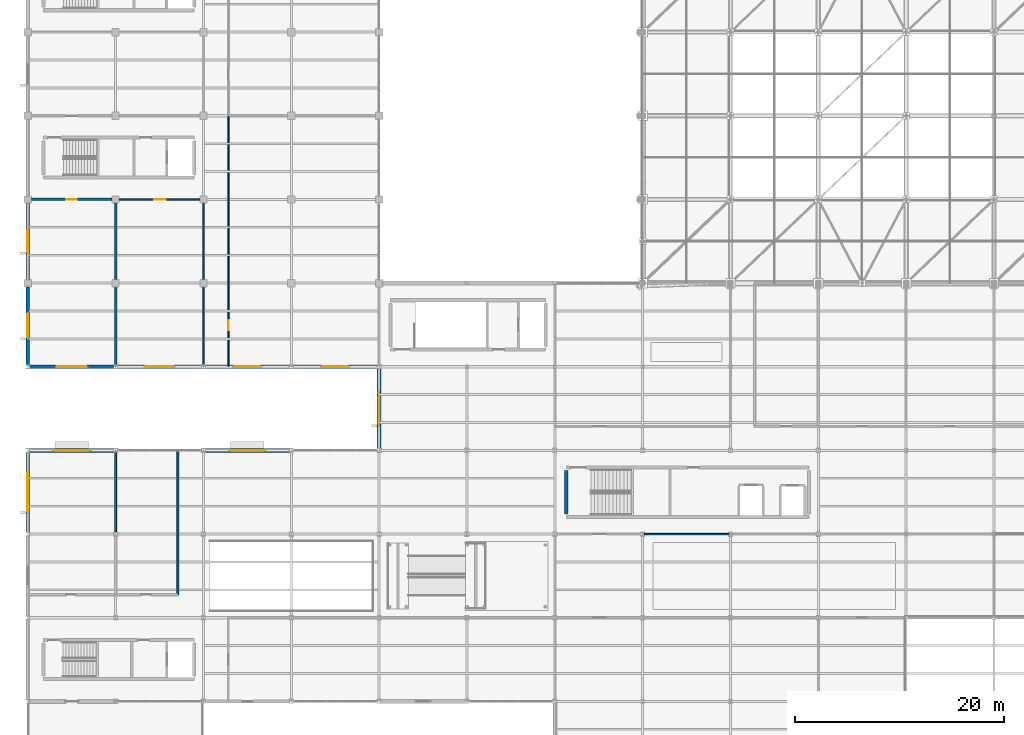
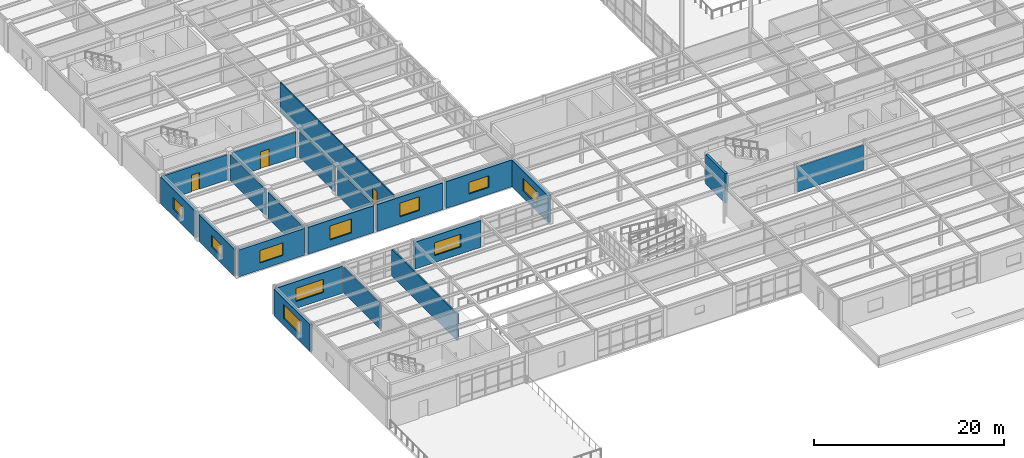
# One storey, part 69 of 138: 21 walls, 10 windows, 3 doors, 13 openings.
"""IFC4 building model written with IfcOpenShell, lengths in metres."""

from ifc_helpers import new_model, si_unit, direction, frame, frame_2d, origin, place, context, subcontext, project, spatial, rectangle, extrude, material, layer, layer_set, type_object, element, fill, save


model = new_model("IFC4")

# Units and contexts
model_context = context("Model", 3, precision=1e-05, world=origin(), true_north=direction((0.0, 1.0)))
body_context = subcontext(model_context, "Body", "Model", "MODEL_VIEW")
ifc_project = project(units=[si_unit("LENGTHUNIT", "METRE"), si_unit("AREAUNIT", "SQUARE_METRE"), si_unit("VOLUMEUNIT", "CUBIC_METRE"), si_unit("PLANEANGLEUNIT", "RADIAN"), si_unit("MASSUNIT", "GRAM", prefix="KILO")], contexts=[model_context])

# Site, building, storey
site_placement = place(None, origin())
site = spatial("IfcSite", under=ifc_project, at=site_placement, CompositionType="ELEMENT")
building_placement = place(site_placement, origin())
building = spatial("IfcBuilding", under=site, at=building_placement, Name="Kranzveld Transit Interchange", CompositionType="ELEMENT")
storey_placement = place(building_placement, frame((0.0, 0.0, 5.43994140625)))
storey = spatial("IfcBuildingStorey", under=building, at=storey_placement, Name="L01", CompositionType="ELEMENT", Elevation=5.43994140625)

# Walls
ifc_material_1 = material(Name="Clay masonry unit wall, 20 MPa", Category="masonry")
ifc_layer_1 = layer(ifc_material_1, 0.139892578125)
ifc_layer_set_1 = layer_set([ifc_layer_1], Name="Clay masonry unit wall, 20 MPa")
wall_type_1 = type_object("IfcWallType", Name="Acoustic Stud Partition 140", PredefinedType="PARTITIONING", material=ifc_layer_set_1)
wall_1_placement = place(storey_placement, frame((58.977294921875, 32.0, 0.0), z_axis=(0.0, 0.0, 1.0), x_axis=(1.0, 0.0, 0.0)))
element("IfcWall", 1, at=wall_1_placement, inside=storey, type_object=wall_type_1, Name="L01 Partition IW-L01-L01V2N-FRT-131-1", PredefinedType="PARTITIONING", context=body_context, shape_type="SweptSolid", body=[
    extrude(rectangle(XDim=8.04541015625, YDim=0.139892578125, at=frame_2d((4.022705078125, 0.0))), origin(), (0.0, 0.0, 1.0), 3.260498046875),
])
ifc_material_2 = material(Name="Concrete C40/50", Category="concrete")
ifc_layer_2 = layer(ifc_material_2, 0.300048828125)
ifc_layer_set_2 = layer_set([ifc_layer_2], Name="Concrete C40/50")
wall_type_2 = type_object("IfcWallType", Name="Core Shear Wall RC 300 C40/50", PredefinedType="SHEAR", material=ifc_layer_set_2)
wall_2_placement = place(storey_placement, frame((51.5, 33.93994140625, 0.0), z_axis=(0.0, 0.0, 1.0), x_axis=(0.0, 1.0, 0.0)))
element("IfcWall", 2, at=wall_2_placement, inside=storey, type_object=wall_type_2, Name="L01 Metro East & Bus Mezzanine Core C6 Shear Wall W", PredefinedType="SHEAR", context=body_context, shape_type="SweptSolid", body=[
    extrude(rectangle(XDim=4.1201171875, YDim=0.300048828125, at=frame_2d((2.06005859375, 0.0))), origin(), (0.0, 0.0, 1.0), 3.800048828125),
])

# Wall, opening, window
ifc_material_3 = material(Name="Pretoria red-purple clinker clay face brick, 35 MPa", Category="masonry")
ifc_layer_3 = layer(ifc_material_3, 0.3798828125)
ifc_layer_set_3 = layer_set([ifc_layer_3], Name="Pretoria red-purple clinker clay face brick, 35 MPa")
wall_type_3 = type_object("IfcWallType", Name="Exterior Cavity Wall Red Clinker 380", PredefinedType="SOLIDWALL", material=ifc_layer_set_3)
wall_3_placement = place(storey_placement, frame((0.187255859375, 40.0, 0.0), z_axis=(0.0, 0.0, 1.0), x_axis=(1.0, 0.0, 0.0)))
wall_3 = element("IfcWall", 3, at=wall_3_placement, inside=storey, type_object=wall_type_3, Name="L01 Clinker Facade Wall 01/F-02/F", PredefinedType="SOLIDWALL", context=body_context, shape_type="SweptSolid", body=[
    extrude(rectangle(XDim=8.025390625, YDim=0.3798828125, at=frame_2d((4.0126953125, 0.0))), origin(), (0.0, 0.0, 1.0), 3.449951171875),
])
opening_1_placement = place(wall_3_placement, frame((2.312744140625, 0.0, 0.89990234375), z_axis=(0.0, 0.0, 1.0), x_axis=(1.0, 0.0, 0.0)))
opening_1 = element("IfcOpeningElement", 4, at=opening_1_placement, cuts=wall_3, Name="Opening W-02", PredefinedType="OPENING", context=body_context, shape_type="SweptSolid", body=[
    extrude(rectangle(XDim=3.39990234375, YDim=1.699951171875, at=frame_2d((1.699951171875, 0.85009765625))), frame((0.0, 0.199951171875, 0.0), z_axis=(0.0, -1.0, 0.0), x_axis=(1.0, 0.0, 0.0)), (0.0, 0.0, 1.0), 0.39990234375),
])
ifc_material_4 = material(Name="Solar-control double glazing", Category="glass")
window_type_1 = type_object("IfcWindowType", Name="Window Ribbon Triple 3400x1700", PartitioningType="TRIPLE_PANEL_VERTICAL", PredefinedType="WINDOW", material=ifc_material_4)
window_1_placement = place(opening_1_placement, origin())
window_1 = element("IfcWindow", 5, at=window_1_placement, inside=storey, type_object=window_type_1, Name="L01 Facade Window 01/F", OverallHeight=1.699951171875, OverallWidth=3.39990234375, PartitioningType="TRIPLE_PANEL_VERTICAL", PredefinedType="WINDOW", context=body_context, shape_type="SweptSolid", body=[
    extrude(rectangle(XDim=3.39990234375, YDim=1.699951171875, at=frame_2d((1.699951171875, 0.85009765625))), frame((0.0, 0.030029296875, 0.0), z_axis=(0.0, -1.0, 0.0), x_axis=(1.0, 0.0, 0.0)), (0.0, 0.0, 1.0), 0.06005859375),
])
fill(opening_1, window_1)

wall_4_placement = place(storey_placement, frame((16.9873046875, 40.0, 0.0), z_axis=(0.0, 0.0, 1.0), x_axis=(1.0, 0.0, 0.0)))
wall_4 = element("IfcWall", 6, at=wall_4_placement, inside=storey, type_object=wall_type_3, Name="L01 Clinker Facade Wall 03/F-04/F", PredefinedType="SOLIDWALL", context=body_context, shape_type="SweptSolid", body=[
    extrude(rectangle(XDim=8.025390625, YDim=0.3798828125, at=frame_2d((4.0126953125, 0.0))), origin(), (0.0, 0.0, 1.0), 3.449951171875),
])
opening_2_placement = place(wall_4_placement, frame((2.41259765625, 0.0, 0.89990234375), z_axis=(0.0, 0.0, 1.0), x_axis=(1.0, 0.0, 0.0)))
opening_2 = element("IfcOpeningElement", 7, at=opening_2_placement, cuts=wall_4, Name="Opening W-03", PredefinedType="OPENING", context=body_context, shape_type="SweptSolid", body=[
    extrude(rectangle(XDim=3.199951171875, YDim=1.64990234375, at=frame_2d((1.60009765625, 0.824951171875))), frame((0.0, 0.199951171875, 0.0), z_axis=(0.0, -1.0, 0.0), x_axis=(1.0, 0.0, 0.0)), (0.0, 0.0, 1.0), 0.39990234375),
])
ifc_material_5 = material(Name="Solar-control double glazing", Category="glass")
window_type_2 = type_object("IfcWindowType", Name="Window Ribbon Triple 3200x1650", PartitioningType="TRIPLE_PANEL_VERTICAL", PredefinedType="WINDOW", material=ifc_material_5)
window_2_placement = place(opening_2_placement, origin())
window_2 = element("IfcWindow", 8, at=window_2_placement, inside=storey, type_object=window_type_2, Name="L01 Facade Window 03/F", OverallHeight=1.64990234375, OverallWidth=3.199951171875, PartitioningType="TRIPLE_PANEL_VERTICAL", PredefinedType="WINDOW", context=body_context, shape_type="SweptSolid", body=[
    extrude(rectangle(XDim=3.199951171875, YDim=1.64990234375, at=frame_2d((1.60009765625, 0.824951171875))), frame((0.0, 0.030029296875, 0.0), z_axis=(0.0, -1.0, 0.0), x_axis=(1.0, 0.0, 0.0)), (0.0, 0.0, 1.0), 0.06005859375),
])
fill(opening_2, window_2)

wall_5_placement = place(storey_placement, frame((33.60009765625, 40.187255859375, 0.0), z_axis=(0.0, 0.0, 1.0), x_axis=(0.0, 1.0, 0.0)))
wall_5 = element("IfcWall", 9, at=wall_5_placement, inside=storey, type_object=wall_type_3, Name="L01 Clinker Facade Wall 05/F-05/G", PredefinedType="SOLIDWALL", context=body_context, shape_type="SweptSolid", body=[
    extrude(rectangle(XDim=7.62548828125, YDim=0.3798828125, at=frame_2d((3.812744140625, 0.0))), origin(), (0.0, 0.0, 1.0), 3.442138671875),
])
opening_3_placement = place(wall_5_placement, frame((2.312744140625, 0.0, 0.89990234375), z_axis=(0.0, 0.0, 1.0), x_axis=(1.0, 0.0, 0.0)))
opening_3 = element("IfcOpeningElement", 10, at=opening_3_placement, cuts=wall_5, Name="Opening W-04", PredefinedType="OPENING", context=body_context, shape_type="SweptSolid", body=[
    extrude(rectangle(XDim=3.0, YDim=1.64990234375, at=frame_2d((1.5, 0.824951171875))), frame((0.0, 0.199951171875, 0.0), z_axis=(0.0, -1.0, 0.0), x_axis=(1.0, 0.0, 0.0)), (0.0, 0.0, 1.0), 0.39990234375),
])
ifc_material_6 = material(Name="Solar-control double glazing", Category="glass")
window_type_3 = type_object("IfcWindowType", Name="Window Ribbon Double 3000x1650", PartitioningType="DOUBLE_PANEL_VERTICAL", PredefinedType="WINDOW", material=ifc_material_6)
window_3_placement = place(opening_3_placement, origin())
window_3 = element("IfcWindow", 11, at=window_3_placement, inside=storey, type_object=window_type_3, Name="L01 Facade Window 05/F", OverallHeight=1.64990234375, OverallWidth=3.0, PartitioningType="DOUBLE_PANEL_VERTICAL", PredefinedType="WINDOW", context=body_context, shape_type="SweptSolid", body=[
    extrude(rectangle(XDim=3.0, YDim=1.64990234375, at=frame_2d((1.5, 0.824951171875))), frame((0.0, 0.030029296875, 0.0), z_axis=(0.0, -1.0, 0.0), x_axis=(1.0, 0.0, 0.0)), (0.0, 0.0, 1.0), 0.06005859375),
])
fill(opening_3, window_3)

wall_6_placement = place(storey_placement, frame((8.58740234375, 48.0, 0.0), z_axis=(0.0, 0.0, 1.0), x_axis=(1.0, 0.0, 0.0)))
wall_6 = element("IfcWall", 12, at=wall_6_placement, inside=storey, type_object=wall_type_3, Name="L01 Clinker Facade Wall 02/G-03/G", PredefinedType="SOLIDWALL", context=body_context, shape_type="SweptSolid", body=[
    extrude(rectangle(XDim=8.025390625, YDim=0.3798828125, at=frame_2d((4.0126953125, 0.0))), origin(), (0.0, 0.0, 1.0), 3.449951171875),
])
opening_4_placement = place(wall_6_placement, frame((2.712646484375, 0.0, 0.89990234375), z_axis=(0.0, 0.0, 1.0), x_axis=(1.0, 0.0, 0.0)))
opening_4 = element("IfcOpeningElement", 13, at=opening_4_placement, cuts=wall_6, Name="Opening W-06", PredefinedType="OPENING", context=body_context, shape_type="SweptSolid", body=[
    extrude(rectangle(XDim=2.60009765625, YDim=1.800048828125, at=frame_2d((1.300048828125, 0.89990234375))), frame((0.0, 0.199951171875, 0.0), z_axis=(0.0, -1.0, 0.0), x_axis=(1.0, 0.0, 0.0)), (0.0, 0.0, 1.0), 0.39990234375),
])
ifc_material_7 = material(Name="Solar-control double glazing", Category="glass")
window_type_4 = type_object("IfcWindowType", Name="Window Civic Double 2600x1800", PartitioningType="DOUBLE_PANEL_VERTICAL", PredefinedType="WINDOW", material=ifc_material_7)
window_4_placement = place(opening_4_placement, origin())
window_4 = element("IfcWindow", 14, at=window_4_placement, inside=storey, type_object=window_type_4, Name="L01 Facade Window 02/G", OverallHeight=1.800048828125, OverallWidth=2.60009765625, PartitioningType="DOUBLE_PANEL_VERTICAL", PredefinedType="WINDOW", context=body_context, shape_type="SweptSolid", body=[
    extrude(rectangle(XDim=2.60009765625, YDim=1.800048828125, at=frame_2d((1.300048828125, 0.89990234375))), frame((0.0, 0.030029296875, 0.0), z_axis=(0.0, -1.0, 0.0), x_axis=(1.0, 0.0, 0.0)), (0.0, 0.0, 1.0), 0.06005859375),
])
fill(opening_4, window_4)

wall_7_placement = place(storey_placement, frame((16.9873046875, 48.0, 0.0), z_axis=(0.0, 0.0, 1.0), x_axis=(1.0, 0.0, 0.0)))
wall_7 = element("IfcWall", 15, at=wall_7_placement, inside=storey, type_object=wall_type_3, Name="L01 Clinker Facade Wall 03/G-04/G", PredefinedType="SOLIDWALL", context=body_context, shape_type="SweptSolid", body=[
    extrude(rectangle(XDim=8.025390625, YDim=0.3798828125, at=frame_2d((4.0126953125, 0.0))), origin(), (0.0, 0.0, 1.0), 3.449951171875),
])
opening_5_placement = place(wall_7_placement, frame((2.812744140625, 0.0, 0.89990234375), z_axis=(0.0, 0.0, 1.0), x_axis=(1.0, 0.0, 0.0)))
opening_5 = element("IfcOpeningElement", 16, at=opening_5_placement, cuts=wall_7, Name="Opening W-07", PredefinedType="OPENING", context=body_context, shape_type="SweptSolid", body=[
    extrude(rectangle(XDim=2.39990234375, YDim=1.75, at=frame_2d((1.199951171875, 0.875))), frame((0.0, 0.199951171875, 0.0), z_axis=(0.0, -1.0, 0.0), x_axis=(1.0, 0.0, 0.0)), (0.0, 0.0, 1.0), 0.39990234375),
])
ifc_material_8 = material(Name="Solar-control double glazing", Category="glass")
window_type_5 = type_object("IfcWindowType", Name="Window Civic Double 2400x1750", PartitioningType="DOUBLE_PANEL_VERTICAL", PredefinedType="WINDOW", material=ifc_material_8)
window_5_placement = place(opening_5_placement, origin())
window_5 = element("IfcWindow", 17, at=window_5_placement, inside=storey, type_object=window_type_5, Name="L01 Facade Window 03/G", OverallHeight=1.75, OverallWidth=2.39990234375, PartitioningType="DOUBLE_PANEL_VERTICAL", PredefinedType="WINDOW", context=body_context, shape_type="SweptSolid", body=[
    extrude(rectangle(XDim=2.39990234375, YDim=1.75, at=frame_2d((1.199951171875, 0.875))), frame((0.0, 0.030029296875, 0.0), z_axis=(0.0, -1.0, 0.0), x_axis=(1.0, 0.0, 0.0)), (0.0, 0.0, 1.0), 0.06005859375),
])
fill(opening_5, window_5)

wall_8_placement = place(storey_placement, frame((25.38720703125, 48.0, 0.0), z_axis=(0.0, 0.0, 1.0), x_axis=(1.0, 0.0, 0.0)))
wall_8 = element("IfcWall", 18, at=wall_8_placement, inside=storey, type_object=wall_type_3, Name="L01 Clinker Facade Wall 04/G-05/G", PredefinedType="SOLIDWALL", context=body_context, shape_type="SweptSolid", body=[
    extrude(rectangle(XDim=8.025390625, YDim=0.3798828125, at=frame_2d((4.0126953125, 0.0))), origin(), (0.0, 0.0, 1.0), 3.449951171875),
])
opening_6_placement = place(wall_8_placement, frame((2.812744140625, 0.0, 0.89990234375), z_axis=(0.0, 0.0, 1.0), x_axis=(1.0, 0.0, 0.0)))
opening_6 = element("IfcOpeningElement", 19, at=opening_6_placement, cuts=wall_8, Name="Opening W-08", PredefinedType="OPENING", context=body_context, shape_type="SweptSolid", body=[
    extrude(rectangle(XDim=2.39990234375, YDim=1.5, at=frame_2d((1.199951171875, 0.75))), frame((0.0, 0.199951171875, 0.0), z_axis=(0.0, -1.0, 0.0), x_axis=(1.0, 0.0, 0.0)), (0.0, 0.0, 1.0), 0.39990234375),
])
ifc_material_9 = material(Name="Solar-control double glazing", Category="glass")
window_type_6 = type_object("IfcWindowType", Name="Window Civic Double 2400x1500", PartitioningType="DOUBLE_PANEL_VERTICAL", PredefinedType="WINDOW", material=ifc_material_9)
window_6_placement = place(opening_6_placement, origin())
window_6 = element("IfcWindow", 20, at=window_6_placement, inside=storey, type_object=window_type_6, Name="L01 Facade Window 04/G", OverallHeight=1.5, OverallWidth=2.39990234375, PartitioningType="DOUBLE_PANEL_VERTICAL", PredefinedType="WINDOW", context=body_context, shape_type="SweptSolid", body=[
    extrude(rectangle(XDim=2.39990234375, YDim=1.5, at=frame_2d((1.199951171875, 0.75))), frame((0.0, 0.030029296875, 0.0), z_axis=(0.0, -1.0, 0.0), x_axis=(1.0, 0.0, 0.0)), (0.0, 0.0, 1.0), 0.06005859375),
])
fill(opening_6, window_6)

wall_9_placement = place(storey_placement, frame((0.0, 56.35009765625, 0.0), z_axis=(0.0, 0.0, 1.0), x_axis=(0.0, 1.0, 0.0)))
wall_9 = element("IfcWall", 21, at=wall_9_placement, inside=storey, type_object=wall_type_3, Name="L01 Clinker Facade Wall 01/H-01/J", PredefinedType="SOLIDWALL", context=body_context, shape_type="SweptSolid", body=[
    extrude(rectangle(XDim=7.2998046875, YDim=0.3798828125, at=frame_2d((3.64990234375, 0.0))), origin(), (0.0, 0.0, 1.0), 3.442138671875),
])
opening_7_placement = place(wall_9_placement, frame((2.64990234375, 0.0, 0.89990234375), z_axis=(0.0, 0.0, 1.0), x_axis=(1.0, 0.0, 0.0)))
opening_7 = element("IfcOpeningElement", 22, at=opening_7_placement, cuts=wall_9, Name="Opening W-10", PredefinedType="OPENING", context=body_context, shape_type="SweptSolid", body=[
    extrude(rectangle(XDim=2.0, YDim=1.5, at=frame_2d((1.0, 0.75))), frame((0.0, 0.199951171875, 0.0), z_axis=(0.0, -1.0, 0.0), x_axis=(1.0, 0.0, 0.0)), (0.0, 0.0, 1.0), 0.39990234375),
])
ifc_material_10 = material(Name="Solar-control double glazing", Category="glass")
window_type_7 = type_object("IfcWindowType", Name="Window Office Double 2000x1500", PartitioningType="DOUBLE_PANEL_VERTICAL", PredefinedType="WINDOW", material=ifc_material_10)
window_7_placement = place(opening_7_placement, origin())
window_7 = element("IfcWindow", 23, at=window_7_placement, inside=storey, type_object=window_type_7, Name="L01 Facade Window 01/H", OverallHeight=1.5, OverallWidth=2.0, PartitioningType="DOUBLE_PANEL_VERTICAL", PredefinedType="WINDOW", context=body_context, shape_type="SweptSolid", body=[
    extrude(rectangle(XDim=2.0, YDim=1.5, at=frame_2d((1.0, 0.75))), frame((0.0, 0.030029296875, 0.0), z_axis=(0.0, -1.0, 0.0), x_axis=(1.0, 0.0, 0.0)), (0.0, 0.0, 1.0), 0.06005859375),
])
fill(opening_7, window_7)

ifc_material_11 = material(Name="Ochre Pretoria sandstone cladding, 45 MPa", Category="masonry")
ifc_layer_4 = layer(ifc_material_11, 0.300048828125)
ifc_layer_set_4 = layer_set([ifc_layer_4], Name="Ochre Pretoria sandstone cladding, 45 MPa")
wall_type_4 = type_object("IfcWallType", Name="Exterior Sandstone Spandrel Wall 300", PredefinedType="SOLIDWALL", material=ifc_layer_set_4)
wall_10_placement = place(storey_placement, frame((0.0, 32.187255859375, 0.0), z_axis=(0.0, 0.0, 1.0), x_axis=(0.0, 1.0, 0.0)))
wall_10 = element("IfcWall", 24, at=wall_10_placement, inside=storey, type_object=wall_type_4, Name="L01 Clinker Facade Wall 01/E-01/F", PredefinedType="SOLIDWALL", context=body_context, shape_type="SweptSolid", body=[
    extrude(rectangle(XDim=7.62548828125, YDim=0.300048828125, at=frame_2d((3.812744140625, 0.0))), origin(), (0.0, 0.0, 1.0), 3.442138671875),
])
opening_8_placement = place(wall_10_placement, frame((2.0126953125, 0.0, 0.89990234375), z_axis=(0.0, 0.0, 1.0), x_axis=(1.0, 0.0, 0.0)))
opening_8 = element("IfcOpeningElement", 25, at=opening_8_placement, cuts=wall_10, Name="Opening W-01", PredefinedType="OPENING", context=body_context, shape_type="SweptSolid", body=[
    extrude(rectangle(XDim=3.60009765625, YDim=1.800048828125, at=frame_2d((1.800048828125, 0.89990234375))), frame((0.0, 0.159912109375, 0.0), z_axis=(0.0, -1.0, 0.0), x_axis=(1.0, 0.0, 0.0)), (0.0, 0.0, 1.0), 0.320068359375),
])
ifc_material_12 = material(Name="Solar-control double glazing", Category="glass")
window_type_8 = type_object("IfcWindowType", Name="Window Ribbon Triple 3600x1800", PartitioningType="TRIPLE_PANEL_VERTICAL", PredefinedType="WINDOW", material=ifc_material_12)
window_8_placement = place(opening_8_placement, origin())
window_8 = element("IfcWindow", 26, at=window_8_placement, inside=storey, type_object=window_type_8, Name="L01 Facade Window 01/E", OverallHeight=1.800048828125, OverallWidth=3.60009765625, PartitioningType="TRIPLE_PANEL_VERTICAL", PredefinedType="WINDOW", context=body_context, shape_type="SweptSolid", body=[
    extrude(rectangle(XDim=3.60009765625, YDim=1.800048828125, at=frame_2d((1.800048828125, 0.89990234375))), frame((0.0, 0.030029296875, 0.0), z_axis=(0.0, -1.0, 0.0), x_axis=(1.0, 0.0, 0.0)), (0.0, 0.0, 1.0), 0.06005859375),
])
fill(opening_8, window_8)

wall_11_placement = place(storey_placement, frame((0.187255859375, 48.0, 0.0), z_axis=(0.0, 0.0, 1.0), x_axis=(1.0, 0.0, 0.0)))
wall_11 = element("IfcWall", 27, at=wall_11_placement, inside=storey, type_object=wall_type_4, Name="L01 Clinker Facade Wall 01/G-02/G", PredefinedType="SOLIDWALL", context=body_context, shape_type="SweptSolid", body=[
    extrude(rectangle(XDim=8.025390625, YDim=0.300048828125, at=frame_2d((4.0126953125, 0.0))), origin(), (0.0, 0.0, 1.0), 3.449951171875),
])
opening_9_placement = place(wall_11_placement, frame((2.61279296875, 0.0, 0.89990234375), z_axis=(0.0, 0.0, 1.0), x_axis=(1.0, 0.0, 0.0)))
opening_9 = element("IfcOpeningElement", 28, at=opening_9_placement, cuts=wall_11, Name="Opening W-05", PredefinedType="OPENING", context=body_context, shape_type="SweptSolid", body=[
    extrude(rectangle(XDim=2.800048828125, YDim=1.60009765625, at=frame_2d((1.39990234375, 0.800048828125))), frame((0.0, 0.159912109375, 0.0), z_axis=(0.0, -1.0, 0.0), x_axis=(1.0, 0.0, 0.0)), (0.0, 0.0, 1.0), 0.320068359375),
])
ifc_material_13 = material(Name="Solar-control double glazing", Category="glass")
window_type_9 = type_object("IfcWindowType", Name="Window Ribbon Double 2800x1600", PartitioningType="DOUBLE_PANEL_VERTICAL", PredefinedType="WINDOW", material=ifc_material_13)
window_9_placement = place(opening_9_placement, origin())
window_9 = element("IfcWindow", 29, at=window_9_placement, inside=storey, type_object=window_type_9, Name="L01 Facade Window 01/G", OverallHeight=1.60009765625, OverallWidth=2.800048828125, PartitioningType="DOUBLE_PANEL_VERTICAL", PredefinedType="WINDOW", context=body_context, shape_type="SweptSolid", body=[
    extrude(rectangle(XDim=2.800048828125, YDim=1.60009765625, at=frame_2d((1.39990234375, 0.800048828125))), frame((0.0, 0.030029296875, 0.0), z_axis=(0.0, -1.0, 0.0), x_axis=(1.0, 0.0, 0.0)), (0.0, 0.0, 1.0), 0.06005859375),
])
fill(opening_9, window_9)

wall_12_placement = place(storey_placement, frame((0.0, 48.187255859375, 0.0), z_axis=(0.0, 0.0, 1.0), x_axis=(0.0, 1.0, 0.0)))
wall_12 = element("IfcWall", 30, at=wall_12_placement, inside=storey, type_object=wall_type_4, Name="L01 Clinker Facade Wall 01/G-01/H", PredefinedType="SOLIDWALL", context=body_context, shape_type="SweptSolid", body=[
    extrude(rectangle(XDim=7.462646484375, YDim=0.300048828125, at=frame_2d((3.7314453125, 0.0))), origin(), (0.0, 0.0, 1.0), 3.442138671875),
])
opening_10_placement = place(wall_12_placement, frame((2.63134765625, 0.0, 0.89990234375), z_axis=(0.0, 0.0, 1.0), x_axis=(1.0, 0.0, 0.0)))
opening_10 = element("IfcOpeningElement", 31, at=opening_10_placement, cuts=wall_12, Name="Opening W-09", PredefinedType="OPENING", context=body_context, shape_type="SweptSolid", body=[
    extrude(rectangle(XDim=2.199951171875, YDim=1.5, at=frame_2d((1.10009765625, 0.75))), frame((0.0, 0.159912109375, 0.0), z_axis=(0.0, -1.0, 0.0), x_axis=(1.0, 0.0, 0.0)), (0.0, 0.0, 1.0), 0.320068359375),
])
ifc_material_14 = material(Name="Solar-control double glazing", Category="glass")
window_type_10 = type_object("IfcWindowType", Name="Window Office Double 2200x1500", PartitioningType="DOUBLE_PANEL_VERTICAL", PredefinedType="WINDOW", material=ifc_material_14)
window_10_placement = place(opening_10_placement, origin())
window_10 = element("IfcWindow", 32, at=window_10_placement, inside=storey, type_object=window_type_10, Name="L01 Facade Window 01/G", OverallHeight=1.5, OverallWidth=2.199951171875, PartitioningType="DOUBLE_PANEL_VERTICAL", PredefinedType="WINDOW", context=body_context, shape_type="SweptSolid", body=[
    extrude(rectangle(XDim=2.199951171875, YDim=1.5, at=frame_2d((1.10009765625, 0.75))), frame((0.0, 0.030029296875, 0.0), z_axis=(0.0, -1.0, 0.0), x_axis=(1.0, 0.0, 0.0)), (0.0, 0.0, 1.0), 0.06005859375),
])
fill(opening_10, window_10)

# Wall, opening, door
ifc_material_15 = material(Name="Clay masonry unit wall, 20 MPa", Category="masonry")
ifc_layer_5 = layer(ifc_material_15, 0.22998046875)
ifc_layer_set_5 = layer_set([ifc_layer_5], Name="Clay masonry unit wall, 20 MPa")
wall_type_5 = type_object("IfcWallType", Name="Fire Compartment Wall Masonry 230 EI120", PredefinedType="PARTITIONING", material=ifc_layer_set_5)
wall_13_placement = place(storey_placement, frame((0.340087890625, 64.0, 0.0), z_axis=(0.0, 0.0, 1.0), x_axis=(1.0, 0.0, 0.0)))
wall_13 = element("IfcWall", 33, at=wall_13_placement, inside=storey, type_object=wall_type_5, Name="L01 Partition IW-L01-L01V5S-FRT-125-0", PredefinedType="PARTITIONING", context=body_context, shape_type="SweptSolid", body=[
    extrude(rectangle(XDim=7.719970703125, YDim=0.22998046875, at=frame_2d((3.85986328125, 0.0))), origin(), (0.0, 0.0, 1.0), 3.260498046875),
])
opening_11_placement = place(wall_13_placement, frame((4.360107421875, 0.0, 0.0), z_axis=(0.0, 0.0, 1.0), x_axis=(-1.0, 0.0, 0.0)))
opening_11 = element("IfcOpeningElement", 34, at=opening_11_placement, cuts=wall_13, Name="Opening D-125", PredefinedType="OPENING", context=body_context, shape_type="SweptSolid", body=[
    extrude(rectangle(XDim=1.0, YDim=2.14990234375, at=frame_2d((0.5, 1.074951171875))), frame((0.0, 0.125, 0.0), z_axis=(0.0, -1.0, 0.0), x_axis=(1.0, 0.0, 0.0)), (0.0, 0.0, 1.0), 0.25),
])
ifc_material_16 = material(Name="Steel S355JR", Category="steel")
door_type_1 = type_object("IfcDoorType", Name="Fire Door Single 1000x2150 FD120S", OperationType="NOTDEFINED", PredefinedType="DOOR", material=ifc_material_16)
door_1_placement = place(opening_11_placement, origin())
door_1 = element("IfcDoor", 35, at=door_1_placement, inside=storey, type_object=door_type_1, Name="L01 Interior Door D-125", OperationType="SINGLE_SWING_LEFT", OverallHeight=2.14990234375, OverallWidth=1.0, PredefinedType="DOOR", context=body_context, shape_type="SweptSolid", body=[
    extrude(rectangle(XDim=1.0, YDim=2.14990234375, at=frame_2d((0.5, 1.074951171875))), frame((0.0, 0.02490234375, 0.0), z_axis=(0.0, -1.0, 0.0), x_axis=(1.0, 0.0, 0.0)), (0.0, 0.0, 1.0), 0.050048828125),
])
fill(opening_11, door_1)

# Walls
wall_14_placement = place(storey_placement, frame((8.39990234375, 48.17724609375, 0.0), z_axis=(0.0, 0.0, 1.0), x_axis=(0.0, 1.0, 0.0)))
element("IfcWall", 36, at=wall_14_placement, inside=storey, type_object=wall_type_5, Name="L01 Partition IW-L01-L01V5S-E-125-0", PredefinedType="PARTITIONING", context=body_context, shape_type="SweptSolid", body=[
    extrude(rectangle(XDim=7.482666015625, YDim=0.22998046875, at=frame_2d((3.7412109375, 0.0))), origin(), (0.0, 0.0, 1.0), 3.336669921875),
])
wall_15_placement = place(storey_placement, frame((8.39990234375, 56.340087890625, 0.0), z_axis=(0.0, 0.0, 1.0), x_axis=(0.0, 1.0, 0.0)))
element("IfcWall", 37, at=wall_15_placement, inside=storey, type_object=wall_type_5, Name="L01 Partition IW-L01-L01V5S-E-125-1", PredefinedType="PARTITIONING", context=body_context, shape_type="SweptSolid", body=[
    extrude(rectangle(XDim=7.31982421875, YDim=0.22998046875, at=frame_2d((3.659912109375, 0.0))), origin(), (0.0, 0.0, 1.0), 3.336669921875),
])

# Wall, opening, door
ifc_material_17 = material(Name="Clay masonry unit wall, 20 MPa", Category="masonry")
ifc_layer_6 = layer(ifc_material_17, 0.14990234375)
ifc_layer_set_6 = layer_set([ifc_layer_6], Name="Clay masonry unit wall, 20 MPa")
wall_type_6 = type_object("IfcWallType", Name="Fire Rated Partition Wall 150 EI60", PredefinedType="PARTITIONING", material=ifc_layer_set_6)
wall_16_placement = place(storey_placement, frame((8.739990234375, 64.0, 0.0), z_axis=(0.0, 0.0, 1.0), x_axis=(1.0, 0.0, 0.0)))
wall_16 = element("IfcWall", 38, at=wall_16_placement, inside=storey, type_object=wall_type_6, Name="L01 Partition IW-L01-L01V5S-FRT-126-0", PredefinedType="PARTITIONING", context=body_context, shape_type="SweptSolid", body=[
    extrude(rectangle(XDim=7.719970703125, YDim=0.14990234375, at=frame_2d((3.85986328125, 0.0))), origin(), (0.0, 0.0, 1.0), 3.260498046875),
])
opening_12_placement = place(wall_16_placement, frame((4.440185546875, 0.0, 0.0), z_axis=(0.0, 0.0, 1.0), x_axis=(-1.0, 0.0, 0.0)))
opening_12 = element("IfcOpeningElement", 39, at=opening_12_placement, cuts=wall_16, Name="Opening D-126", PredefinedType="OPENING", context=body_context, shape_type="SweptSolid", body=[
    extrude(rectangle(XDim=1.080078125, YDim=2.179931640625, at=frame_2d((0.5400390625, 1.08984375))), frame((0.0, 0.0849609375, 0.0), z_axis=(0.0, -1.0, 0.0), x_axis=(1.0, 0.0, 0.0)), (0.0, 0.0, 1.0), 0.169921875),
])
ifc_material_18 = material(Name="Steel S355JR", Category="steel")
door_type_2 = type_object("IfcDoorType", Name="Fire Rated Plant Door 1080x2180 FD60S", OperationType="NOTDEFINED", PredefinedType="DOOR", material=ifc_material_18)
door_2_placement = place(opening_12_placement, origin())
door_2 = element("IfcDoor", 40, at=door_2_placement, inside=storey, type_object=door_type_2, Name="L01 Interior Door D-126", OperationType="SINGLE_SWING_RIGHT", OverallHeight=2.179931640625, OverallWidth=1.080078125, PredefinedType="DOOR", context=body_context, shape_type="SweptSolid", body=[
    extrude(rectangle(XDim=1.080078125, YDim=2.179931640625, at=frame_2d((0.5400390625, 1.08984375))), frame((0.0, 0.02490234375, 0.0), z_axis=(0.0, -1.0, 0.0), x_axis=(1.0, 0.0, 0.0)), (0.0, 0.0, 1.0), 0.050048828125),
])
fill(opening_12, door_2)

# Walls
wall_17_placement = place(storey_placement, frame((16.800048828125, 48.17724609375, 0.0), z_axis=(0.0, 0.0, 1.0), x_axis=(0.0, 1.0, 0.0)))
element("IfcWall", 41, at=wall_17_placement, inside=storey, type_object=wall_type_6, Name="L01 Partition IW-L01-L01V5S-E-126-0", PredefinedType="PARTITIONING", context=body_context, shape_type="SweptSolid", body=[
    extrude(rectangle(XDim=7.482666015625, YDim=0.14990234375, at=frame_2d((3.7412109375, 0.0))), origin(), (0.0, 0.0, 1.0), 3.336669921875),
])
wall_18_placement = place(storey_placement, frame((16.800048828125, 56.340087890625, 0.0), z_axis=(0.0, 0.0, 1.0), x_axis=(0.0, 1.0, 0.0)))
element("IfcWall", 42, at=wall_18_placement, inside=storey, type_object=wall_type_6, Name="L01 Partition IW-L01-L01V5S-E-126-1", PredefinedType="PARTITIONING", context=body_context, shape_type="SweptSolid", body=[
    extrude(rectangle(XDim=7.31982421875, YDim=0.14990234375, at=frame_2d((3.659912109375, 0.0))), origin(), (0.0, 0.0, 1.0), 3.336669921875),
])

# Wall, opening, door
ifc_material_19 = material(Name="Clay masonry unit wall, 20 MPa", Category="masonry")
ifc_layer_7 = layer(ifc_material_19, 0.125)
ifc_layer_set_7 = layer_set([ifc_layer_7], Name="Clay masonry unit wall, 20 MPa")
wall_type_7 = type_object("IfcWallType", Name="Internal Blockwork Partition 125", PredefinedType="PARTITIONING", material=ifc_layer_set_7)
wall_19_placement = place(storey_placement, frame((19.199951171875, 48.0400390625, 0.0), z_axis=(0.0, 0.0, 1.0), x_axis=(0.0, 1.0, 0.0)))
wall_19 = element("IfcWall", 43, at=wall_19_placement, inside=storey, type_object=wall_type_7, Name="L01 Partition IW-L01-L01V5E-FRT-135-0", PredefinedType="PARTITIONING", context=body_context, shape_type="SweptSolid", body=[
    extrude(rectangle(XDim=23.9599609375, YDim=0.125, at=frame_2d((11.97998046875, 0.0))), origin(), (0.0, 0.0, 1.0), 3.800048828125),
])
opening_13_placement = place(wall_19_placement, frame((4.409912109375, 0.0, 0.0), z_axis=(0.0, 0.0, 1.0), x_axis=(-1.0, 0.0, 0.0)))
opening_13 = element("IfcOpeningElement", 44, at=opening_13_placement, cuts=wall_19, Name="Opening D-135", PredefinedType="OPENING", context=body_context, shape_type="SweptSolid", body=[
    extrude(rectangle(XDim=0.949951171875, YDim=2.14990234375, at=frame_2d((0.47509765625, 1.074951171875))), frame((0.0, 0.072509765625, 0.0), z_axis=(0.0, -1.0, 0.0), x_axis=(1.0, 0.0, 0.0)), (0.0, 0.0, 1.0), 0.14501953125),
])
ifc_material_20 = material(Name="Bronze-anodised thermally broken aluminium", Category="aluminium")
door_type_3 = type_object("IfcDoorType", Name="Internal Office Door 950x2150", OperationType="NOTDEFINED", PredefinedType="DOOR", material=ifc_material_20)
door_3_placement = place(opening_13_placement, origin())
door_3 = element("IfcDoor", 45, at=door_3_placement, inside=storey, type_object=door_type_3, Name="L01 Interior Door D-135", OperationType="SINGLE_SWING_LEFT", OverallHeight=2.14990234375, OverallWidth=0.949951171875, PredefinedType="DOOR", context=body_context, shape_type="SweptSolid", body=[
    extrude(rectangle(XDim=0.949951171875, YDim=2.14990234375, at=frame_2d((0.47509765625, 1.074951171875))), frame((0.0, 0.02490234375, 0.0), z_axis=(0.0, -1.0, 0.0), x_axis=(1.0, 0.0, 0.0)), (0.0, 0.0, 1.0), 0.050048828125),
])
fill(opening_13, door_3)

# Walls
ifc_material_21 = material(Name="Clay masonry unit wall, 20 MPa", Category="masonry")
ifc_layer_8 = layer(ifc_material_21, 0.18994140625)
ifc_layer_set_8 = layer_set([ifc_layer_8], Name="Clay masonry unit wall, 20 MPa")
wall_type_8 = type_object("IfcWallType", Name="Sanitary Plumbing Wall 190", PredefinedType="PLUMBINGWALL", material=ifc_layer_set_8)
wall_20_placement = place(storey_placement, frame((8.39990234375, 32.17724609375, 0.0), z_axis=(0.0, 0.0, 1.0), x_axis=(0.0, 1.0, 0.0)))
element("IfcWall", 46, at=wall_20_placement, inside=storey, type_object=wall_type_8, Name="L01 Partition IW-L01-L01V3N-MID-115-1", PredefinedType="PLUMBINGWALL", context=body_context, shape_type="SweptSolid", body=[
    extrude(rectangle(XDim=7.6455078125, YDim=0.18994140625, at=frame_2d((3.82275390625, 0.0))), origin(), (0.0, 0.0, 1.0), 3.336669921875),
])
wall_21_placement = place(storey_placement, frame((14.35009765625, 26.199951171875, 0.0), z_axis=(0.0, 0.0, 1.0), x_axis=(0.0, 1.0, 0.0)))
element("IfcWall", 47, at=wall_21_placement, inside=storey, type_object=wall_type_8, Name="L01 Partition IW-L01-L01V3N-E-116-0", PredefinedType="PLUMBINGWALL", context=body_context, shape_type="SweptSolid", body=[
    extrude(rectangle(XDim=13.760009765625, YDim=0.18994140625, at=frame_2d((6.8798828125, 0.0))), origin(), (0.0, 0.0, 1.0), 3.442138671875),
])

save(model, "model.ifc")
